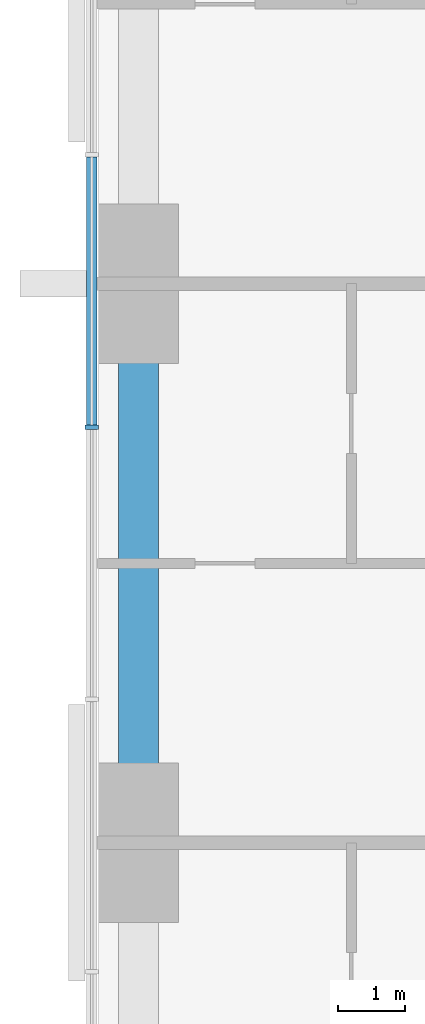
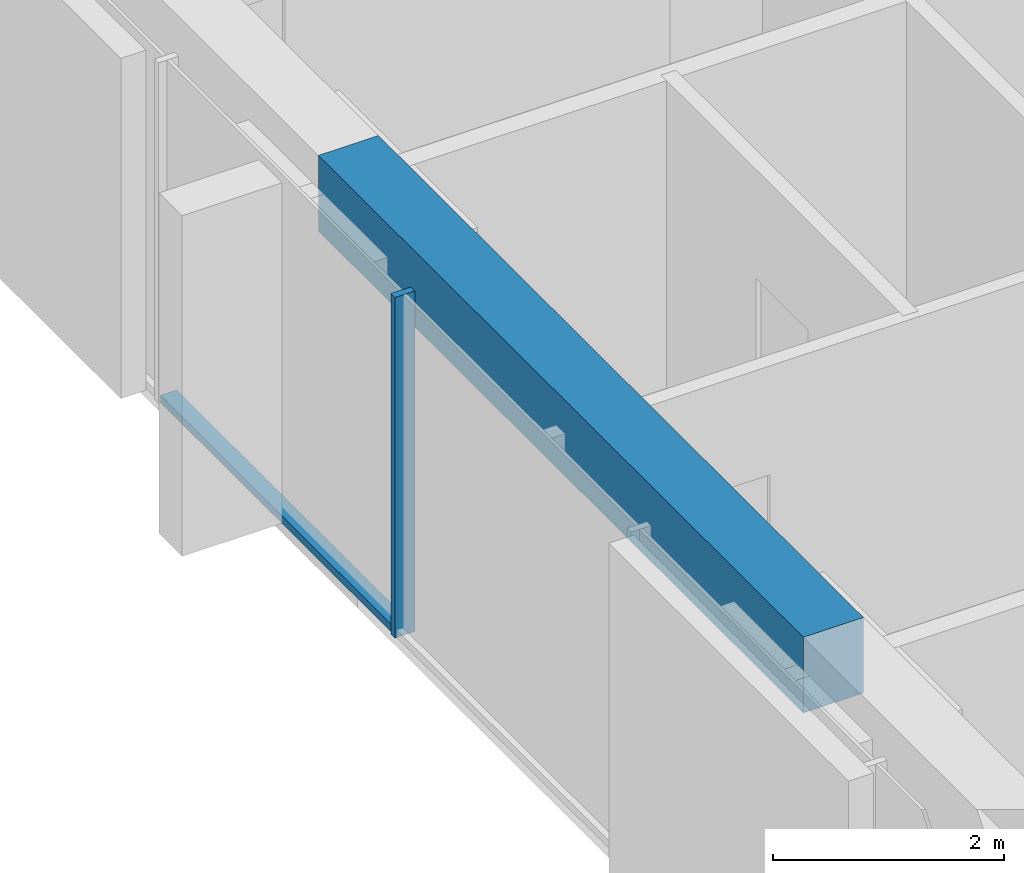
# One storey, part 3 of 14: 2 members, 1 beam, 1 element without a shape of its own.
"""IFC4 building model written with IfcOpenShell, lengths in metres."""

from ifc_helpers import new_model, si_unit, direction, frame, origin, origin_2d, place, context, subcontext, project, spatial, rectangle, extrude, material, material_profile, profile_set, type_object, element, aggregate, save


model = new_model("IFC4")

# Units and contexts
model_context = context("Model", 3, precision=1e-05, world=origin(), true_north=direction((0.0, 1.0)))
body_context = subcontext(model_context, "Body", "Model", "MODEL_VIEW")
ifc_project = project(units=[si_unit("LENGTHUNIT", "METRE"), si_unit("AREAUNIT", "SQUARE_METRE"), si_unit("VOLUMEUNIT", "CUBIC_METRE"), si_unit("PLANEANGLEUNIT", "RADIAN"), si_unit("MASSUNIT", "GRAM", prefix="KILO")], contexts=[model_context])

# Site, building, storey
site_placement = place(None, origin())
site = spatial("IfcSite", under=ifc_project, at=site_placement, CompositionType="ELEMENT")
building_placement = place(site_placement, origin())
building = spatial("IfcBuilding", under=site, at=building_placement, Name="Dunama Terrace Hotel", CompositionType="ELEMENT")
storey_placement = place(building_placement, frame((0.0, 0.0, 198.60009765625)))
storey = spatial("IfcBuildingStorey", under=building, at=storey_placement, Name="L51", CompositionType="ELEMENT", Elevation=198.60009765625)

# Curtain wall, members
ifc_material_1 = material(Name="Aluminium curtain wall system", Category="aluminium")
curtain_wall_type = type_object("IfcCurtainWallType", Name="Unitised fritted glass wall CW-C", PredefinedType="NOTDEFINED", material=ifc_material_1)
curtain_wall_placement = place(storey_placement, origin())
curtain_wall = element("IfcCurtainWall", 1, at=curtain_wall_placement, inside=storey, type_object=curtain_wall_type, Name="Unitised fritted glass wall CW-C L51", PredefinedType="NOTDEFINED")
ifc_material_2 = material(Name="Aluminium mullion", Category="aluminium")
ifc_material_profile_1 = material_profile(ifc_material_2, rectangle(XDim=0.070068359375, YDim=0.199951171875, at=origin_2d()), Name="CWC MULLION 70X200")
ifc_profile_set_1 = profile_set([ifc_material_profile_1], Name="Aluminium mullion")
member_type_1 = type_object("IfcMemberType", Name="CWC mullion 70x200", PredefinedType="MULLION", material=ifc_profile_set_1)
member_1_placement = place(storey_placement, frame((4.10009765625, 31.445068359375, 0.0), z_axis=(0.0, 0.0, 1.0), x_axis=(0.0, -1.0, 0.0)))
member_1 = element("IfcMember", 2, at=member_1_placement, type_object=member_type_1, Name="CWC mullion", PredefinedType="MULLION", context=body_context, shape_type="SweptSolid", body=[
    extrude(rectangle(XDim=0.070068359375, YDim=0.199951171875, at=origin_2d()), origin(), (0.0, 0.0, 1.0), 3.599853515625),
])
ifc_material_3 = material(Name="Aluminium transom", Category="aluminium")
ifc_material_profile_2 = material_profile(ifc_material_3, rectangle(XDim=0.159912109375, YDim=0.080078125, at=origin_2d()), Name="CWC TRANSOM 160X80")
ifc_profile_set_2 = profile_set([ifc_material_profile_2], Name="Aluminium transom")
member_type_2 = type_object("IfcMemberType", Name="CWC transom 160x80", PredefinedType="USERDEFINED", material=ifc_profile_set_2)
member_2_placement = place(storey_placement, frame((4.10009765625, 35.5009765625, 0.039794921875), z_axis=(0.0, -1.0, 0.0), x_axis=(1.0, 0.0, 0.0)))
member_2 = element("IfcMember", 3, at=member_2_placement, type_object=member_type_2, Name="CWC transom", ObjectType="TRANSOM", PredefinedType="USERDEFINED", context=body_context, shape_type="SweptSolid", body=[
    extrude(rectangle(XDim=0.159912109375, YDim=0.080078125, at=origin_2d()), origin(), (0.0, 0.0, 1.0), 4.02099609375),
])
aggregate(curtain_wall, [member_1, member_2])

# Beam
ifc_material_4 = material(Name="Concrete C40/50", Category="concrete")
ifc_material_profile_3 = material_profile(ifc_material_4, rectangle(XDim=0.60009765625, YDim=0.800048828125, at=origin_2d()), Name="RC 600x800")
ifc_profile_set_3 = profile_set([ifc_material_profile_3], Name="Concrete C40/50")
beam_type = type_object("IfcBeamType", Name="Edge beam RC 600x800", PredefinedType="SPANDREL", material=ifc_profile_set_3)
beam_placement = place(storey_placement, frame((4.800048828125, 25.199951171875, 3.199951171875), z_axis=(0.0, 1.0, 0.0), x_axis=(-1.0, 0.0, 0.0)))
element("IfcBeam", 4, at=beam_placement, inside=storey, type_object=beam_type, Name="Edge beam under L52", PredefinedType="SPANDREL", context=body_context, shape_type="SweptSolid", body=[
    extrude(rectangle(XDim=0.60009765625, YDim=0.800048828125, at=origin_2d()), origin(), (0.0, 0.0, 1.0), 8.400146484375),
])

save(model, "model.ifc")
